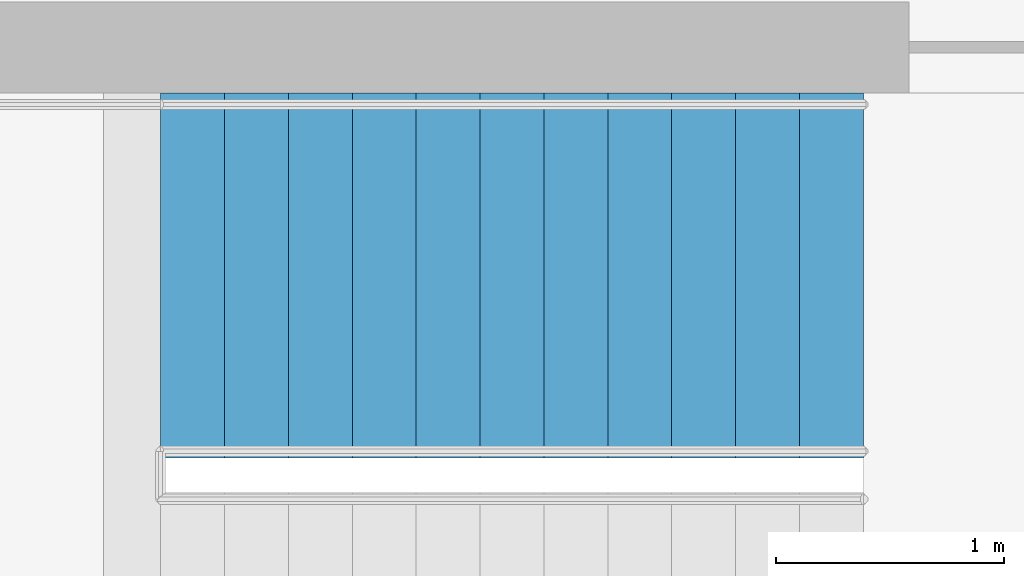
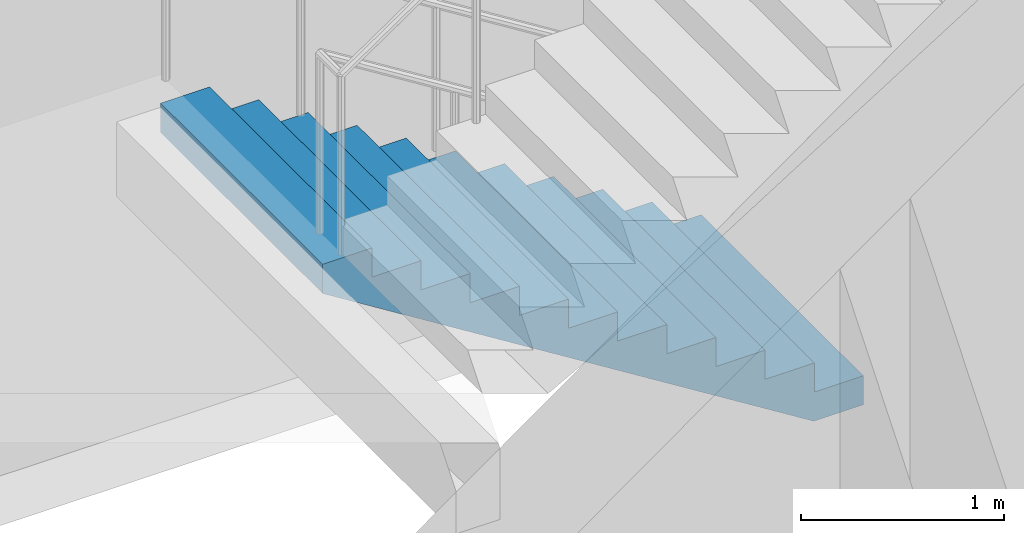
# One storey, part 17 of 21: 1 stair flight, 1 element without a shape of its own.
"""IFC4 building model written with IfcOpenShell, lengths in metres."""

from ifc_helpers import new_model, si_unit, direction, frame, origin, place, context, subcontext, project, spatial, polyline, outline, extrude, material, type_object, element, aggregate, save


model = new_model("IFC4")

# Units and contexts
model_context = context("Model", 3, precision=1e-05, world=origin(), true_north=direction((0.0, 1.0)))
body_context = subcontext(model_context, "Body", "Model", "MODEL_VIEW")
ifc_project = project(units=[si_unit("LENGTHUNIT", "METRE"), si_unit("AREAUNIT", "SQUARE_METRE"), si_unit("VOLUMEUNIT", "CUBIC_METRE"), si_unit("PLANEANGLEUNIT", "RADIAN"), si_unit("MASSUNIT", "GRAM", prefix="KILO")], contexts=[model_context])

# Site, building, storey
site_placement = place(None, origin())
site = spatial("IfcSite", under=ifc_project, at=site_placement, CompositionType="ELEMENT")
building_placement = place(site_placement, origin())
building = spatial("IfcBuilding", under=site, at=building_placement, Name="Cobogo Forest Laboratory Tower", CompositionType="ELEMENT")
storey_placement = place(building_placement, frame((0.0, 0.0, 267.0)))
storey = spatial("IfcBuildingStorey", under=building, at=storey_placement, Name="L61", CompositionType="ELEMENT", Elevation=267.0)

# Stair, stair flight
ifc_material = material(Name="Precast concrete HA-40 (C40/50)", Category="concrete")
stair_type = type_object("IfcStairType", Name="ST24 exit stair 24 risers", PredefinedType="HALF_TURN_STAIR", material=ifc_material)
stair_placement = place(storey_placement, origin())
stair = element("IfcStair", 1, at=stair_placement, inside=storey, type_object=stair_type, Name="Stair 2 L61 to L62", PredefinedType="HALF_TURN_STAIR")
stair_flight_type = type_object("IfcStairFlightType", Name="ST stair flight 280 going", PredefinedType="STRAIGHT", material=ifc_material)
stair_flight_placement = place(storey_placement, frame((37.47509765625, 25.699951171875, 0.0), z_axis=(0.0, 0.0, 1.0), x_axis=(-1.0, 0.0, 0.0)))
stair_flight = element("IfcStairFlight", 2, at=stair_flight_placement, type_object=stair_flight_type, Name="ST2 flight 1", NumberOfRisers=12, NumberOfTreads=11, PredefinedType="STRAIGHT", RiserHeight=0.175, TreadLength=0.28, context=body_context, shape_type="SweptSolid", body=[
    extrude(outline(polyline([(0.0, 0.0), (0.0, 0.175048828125), (0.280029296875, 0.175048828125), (0.280029296875, 0.35009765625), (0.56005859375, 0.35009765625), (0.56005859375, 0.52490234375), (0.840087890625, 0.52490234375), (0.840087890625, 0.699951171875), (1.1201171875, 0.699951171875), (1.1201171875, 0.875), (1.39990234375, 0.875), (1.39990234375, 1.050048828125), (1.679931640625, 1.050048828125), (1.679931640625, 1.22509765625), (1.9599609375, 1.22509765625), (1.9599609375, 1.39990234375), (2.239990234375, 1.39990234375), (2.239990234375, 1.574951171875), (2.52001953125, 1.574951171875), (2.52001953125, 1.75), (2.800048828125, 1.75), (2.800048828125, 1.925048828125), (3.080078125, 1.925048828125), (3.080078125, 2.10009765625), (3.080078125, 1.748291015625), (0.28271484375, 0.0), (0.0, 0.0)])), frame((0.0, 0.800048828125, 0.0), z_axis=(0.0, -1.0, 0.0), x_axis=(1.0, 0.0, 0.0)), (0.0, 0.0, 1.0), 1.60009765625),
])
aggregate(stair, [stair_flight])

save(model, "model.ifc")
